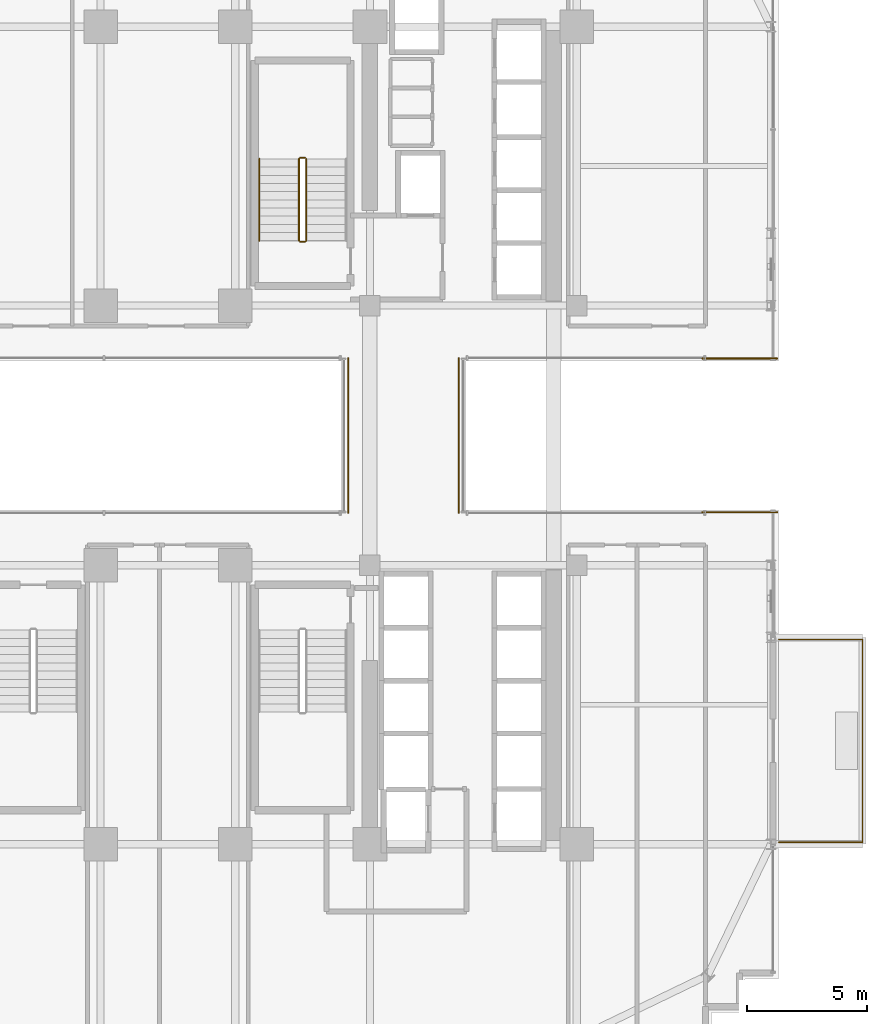
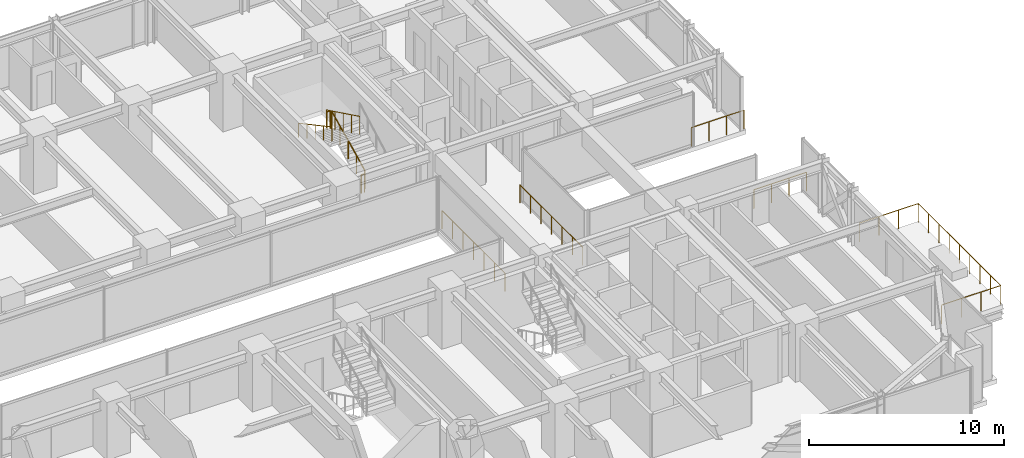
# One storey, part 39 of 41: 10 railings.
"""IFC4 building model written with IfcOpenShell, lengths in metres."""

from ifc_helpers import new_model, si_unit, direction, frame, origin, origin_2d, place, context, subcontext, project, spatial, circle, extrude, material, type_object, element, save


model = new_model("IFC4")

# Units and contexts
model_context = context("Model", 3, precision=1e-05, world=origin(), true_north=direction((0.0, 1.0)))
body_context = subcontext(model_context, "Body", "Model", "MODEL_VIEW")
ifc_project = project(units=[si_unit("LENGTHUNIT", "METRE"), si_unit("AREAUNIT", "SQUARE_METRE"), si_unit("VOLUMEUNIT", "CUBIC_METRE"), si_unit("PLANEANGLEUNIT", "RADIAN"), si_unit("MASSUNIT", "GRAM", prefix="KILO")], contexts=[model_context])

# Site, building, storey
site_placement = place(None, origin())
site = spatial("IfcSite", under=ifc_project, at=site_placement, CompositionType="ELEMENT")
building_placement = place(site_placement, origin())
building = spatial("IfcBuilding", under=site, at=building_placement, Name="Nahalor Promenade Grand Hotel", CompositionType="ELEMENT")
storey_placement = place(building_placement, frame((0.0, 0.0, 54.300048828125)))
storey = spatial("IfcBuildingStorey", under=building, at=storey_placement, Name="L12", CompositionType="ELEMENT", Elevation=54.300048828125)

# Railings
ifc_material_1 = material(Name="Anodised Bronze Aluminium EN AW-6063 T6", Category="aluminium")
railing_type_1 = type_object("IfcRailingType", Name="Bronze Balcony Guardrail 1200 mm", PredefinedType="GUARDRAIL", material=ifc_material_1)
for number, where, name in (
    (1, (22.219970703125, -3.199951171875, 0.0), "L12 Oculus Void Edge Guardrail ES"),
    (2, (22.219970703125, 3.199951171875, 0.0), "L12 Oculus Void Edge Guardrail EN"),
):
    element("IfcRailing", number, at=place(storey_placement, frame(where)), inside=storey, type_object=railing_type_1, Name=name, PredefinedType="GUARDRAIL", context=body_context, shape_type="SweptSolid", body=[
        extrude(circle(Radius=0.024048, at=origin_2d()), frame((0.0, 0.0, 1.17578125), z_axis=(1.0, 0.0, 0.0), x_axis=(0.0, 1.0, 0.0)), (0.0, 0.0, 1.0), 3.1201171875),
        extrude(circle(Radius=0.020996, at=origin_2d()), origin(), (0.0, 0.0, 1.0), 1.14990234375),
        extrude(circle(Radius=0.020996, at=origin_2d()), frame((1.0400390625, 0.0, 0.0)), (0.0, 0.0, 1.0), 1.14990234375),
        extrude(circle(Radius=0.020996, at=origin_2d()), frame((2.080078125, 0.0, 0.0)), (0.0, 0.0, 1.0), 1.14990234375),
        extrude(circle(Radius=0.020996, at=origin_2d()), frame((3.1201171875, 0.0, 0.0)), (0.0, 0.0, 1.0), 1.14990234375),
    ])
railing_1_placement = place(storey_placement, frame((25.39990234375, -16.919921875, 0.0)))
element("IfcRailing", 3, at=railing_1_placement, inside=storey, type_object=railing_type_1, Name="L12 Balcony Guardrail 2", PredefinedType="GUARDRAIL", context=body_context, shape_type="SweptSolid", body=[
    extrude(circle(Radius=0.024048, at=origin_2d()), frame((0.0, 0.0, 1.17578125), z_axis=(1.0, 0.0, 0.0), x_axis=(0.0, 1.0, 0.0)), (0.0, 0.0, 1.0), 3.488037109375),
    extrude(circle(Radius=0.024048, at=origin_2d()), frame((3.489990234375, 0.001953125, 1.17578125), z_axis=(0.0, 1.0, 0.0), x_axis=(-1.0, 0.0, 0.0)), (0.0, 0.0, 1.0), 8.43603515625),
    extrude(circle(Radius=0.024048, at=origin_2d()), frame((3.488037109375, 8.43994140625, 1.17578125), z_axis=(-1.0, 0.0, 0.0), x_axis=(0.0, -1.0, 0.0)), (0.0, 0.0, 1.0), 3.488037109375),
    extrude(circle(Radius=0.020996, at=origin_2d()), origin(), (0.0, 0.0, 1.0), 1.14990234375),
    extrude(circle(Radius=0.020996, at=origin_2d()), frame((1.163330078125, 0.0, 0.0)), (0.0, 0.0, 1.0), 1.14990234375),
    extrude(circle(Radius=0.020996, at=origin_2d()), frame((2.32666015625, 0.0, 0.0)), (0.0, 0.0, 1.0), 1.14990234375),
    extrude(circle(Radius=0.020996, at=origin_2d()), frame((3.489990234375, 0.0, 0.0)), (0.0, 0.0, 1.0), 1.14990234375),
    extrude(circle(Radius=0.020996, at=origin_2d()), frame((3.489990234375, 1.054931640625, 0.0)), (0.0, 0.0, 1.0), 1.14990234375),
    extrude(circle(Radius=0.020996, at=origin_2d()), frame((3.489990234375, 2.10986328125, 0.0)), (0.0, 0.0, 1.0), 1.14990234375),
    extrude(circle(Radius=0.020996, at=origin_2d()), frame((3.489990234375, 3.1650390625, 0.0)), (0.0, 0.0, 1.0), 1.14990234375),
    extrude(circle(Radius=0.020996, at=origin_2d()), frame((3.489990234375, 4.219970703125, 0.0)), (0.0, 0.0, 1.0), 1.14990234375),
    extrude(circle(Radius=0.020996, at=origin_2d()), frame((3.489990234375, 5.27490234375, 0.0)), (0.0, 0.0, 1.0), 1.14990234375),
    extrude(circle(Radius=0.020996, at=origin_2d()), frame((3.489990234375, 6.330078125, 0.0)), (0.0, 0.0, 1.0), 1.14990234375),
    extrude(circle(Radius=0.020996, at=origin_2d()), frame((3.489990234375, 7.385009765625, 0.0)), (0.0, 0.0, 1.0), 1.14990234375),
    extrude(circle(Radius=0.020996, at=origin_2d()), frame((3.489990234375, 8.43994140625, 0.0)), (0.0, 0.0, 1.0), 1.14990234375),
    extrude(circle(Radius=0.020996, at=origin_2d()), frame((2.32666015625, 8.43994140625, 0.0)), (0.0, 0.0, 1.0), 1.14990234375),
    extrude(circle(Radius=0.020996, at=origin_2d()), frame((1.163330078125, 8.43994140625, 0.0)), (0.0, 0.0, 1.0), 1.14990234375),
    extrude(circle(Radius=0.020996, at=origin_2d()), frame((0.0, 8.43994140625, 0.0)), (0.0, 0.0, 1.0), 1.14990234375),
])
railing_type_2 = type_object("IfcRailingType", Name="Bronze Sky Balustrade 1150 mm", PredefinedType="BALUSTRADE", material=ifc_material_1)
for number, where, name in (
    (4, (7.5, -3.219970703125, 0.0), "BL-L12-BRG-W"),
    (5, (12.10009765625, -3.219970703125, 0.0), "BL-L12-BRG-E"),
):
    element("IfcRailing", number, at=place(storey_placement, frame(where)), inside=storey, type_object=railing_type_2, Name=name, PredefinedType="BALUSTRADE", context=body_context, shape_type="SweptSolid", body=[
        extrude(circle(Radius=0.024048, at=origin_2d()), frame((0.0, 0.0, 1.1259765625), z_axis=(0.0, 1.0, 0.0), x_axis=(-1.0, 0.0, 0.0)), (0.0, 0.0, 1.0), 6.43994140625),
        extrude(circle(Radius=0.020996, at=origin_2d()), origin(), (0.0, 0.0, 1.0), 1.099853515625),
        extrude(circle(Radius=0.020996, at=origin_2d()), frame((0.0, 1.0732421875, 0.0)), (0.0, 0.0, 1.0), 1.099853515625),
        extrude(circle(Radius=0.020996, at=origin_2d()), frame((0.0, 2.146728515625, 0.0)), (0.0, 0.0, 1.0), 1.099853515625),
        extrude(circle(Radius=0.020996, at=origin_2d()), frame((0.0, 3.219970703125, 0.0)), (0.0, 0.0, 1.0), 1.099853515625),
        extrude(circle(Radius=0.020996, at=origin_2d()), frame((0.0, 4.293212890625, 0.0)), (0.0, 0.0, 1.0), 1.099853515625),
        extrude(circle(Radius=0.020996, at=origin_2d()), frame((0.0, 5.36669921875, 0.0)), (0.0, 0.0, 1.0), 1.099853515625),
        extrude(circle(Radius=0.020996, at=origin_2d()), frame((0.0, 6.43994140625, 0.0)), (0.0, 0.0, 1.0), 1.099853515625),
    ])
ifc_material_2 = material(Name="Steel S355JR", Category="steel")
railing_type_3 = type_object("IfcRailingType", Name="Steel Stair Guardrail 1150 mm", PredefinedType="GUARDRAIL", material=ifc_material_2)
railing_2_placement = place(storey_placement, frame((5.75, 8.10009765625, 0.165771484375)))
element("IfcRailing", 6, at=railing_2_placement, inside=storey, type_object=railing_type_3, Name="L12 ST1 stair guard 1", PredefinedType="GUARDRAIL", context=body_context, shape_type="SweptSolid", body=[
    extrude(circle(Radius=0.024048, at=origin_2d()), frame((0.0, 0.0, 1.1259765625), z_axis=(0.0, 0.898696488221, 0.438571114028), x_axis=(-1.0, 0.0, 0.0)), (0.0, 0.0, 1.0), 3.783203125),
    extrude(circle(Radius=0.020996, at=origin_2d()), origin(), (0.0, 0.0, 1.0), 1.099853515625),
    extrude(circle(Radius=0.020996, at=origin_2d()), frame((0.0, 0.85009765625, 0.414794921875)), (0.0, 0.0, 1.0), 1.099853515625),
    extrude(circle(Radius=0.020996, at=origin_2d()), frame((0.0, 1.699951171875, 0.82958984375)), (0.0, 0.0, 1.0), 1.099853515625),
    extrude(circle(Radius=0.020996, at=origin_2d()), frame((0.0, 2.5498046875, 1.244384765625)), (0.0, 0.0, 1.0), 1.099853515625),
    extrude(circle(Radius=0.020996, at=origin_2d()), frame((0.0, 3.39990234375, 1.6591796875)), (0.0, 0.0, 1.0), 1.099853515625),
])
railing_3_placement = place(storey_placement, frame((5.699951171875, 11.550048828125, 1.824951171875)))
element("IfcRailing", 7, at=railing_3_placement, inside=storey, type_object=railing_type_3, Name="L12 ST1 stair guard 2", PredefinedType="GUARDRAIL", context=body_context, shape_type="SweptSolid", body=[
    extrude(circle(Radius=0.024048, at=origin_2d()), frame((0.0, 0.0, 1.1259765625), z_axis=(-1.0, 0.0, 0.0), x_axis=(0.0, -1.0, 0.0)), (0.0, 0.0, 1.0), 0.199951171875),
    extrude(circle(Radius=0.020996, at=origin_2d()), origin(), (0.0, 0.0, 1.0), 1.099853515625),
    extrude(circle(Radius=0.020996, at=origin_2d()), frame((-0.199951171875, 0.0, 0.0)), (0.0, 0.0, 1.0), 1.099853515625),
])
railing_4_placement = place(storey_placement, frame((5.449951171875, 11.5, 1.990966796875)))
element("IfcRailing", 8, at=railing_4_placement, inside=storey, type_object=railing_type_3, Name="L12 ST1 stair guard 3", PredefinedType="GUARDRAIL", context=body_context, shape_type="SweptSolid", body=[
    extrude(circle(Radius=0.024048, at=origin_2d()), frame((0.0, 0.0, 1.1259765625), z_axis=(0.0, -0.898721922897, 0.438518990814), x_axis=(1.0, 0.0, 0.0)), (0.0, 0.0, 1.0), 3.782958984375),
    extrude(circle(Radius=0.020996, at=origin_2d()), origin(), (0.0, 0.0, 1.0), 1.099853515625),
    extrude(circle(Radius=0.020996, at=origin_2d()), frame((0.0, -0.85009765625, 0.414794921875)), (0.0, 0.0, 1.0), 1.099853515625),
    extrude(circle(Radius=0.020996, at=origin_2d()), frame((0.0, -1.699951171875, 0.82958984375)), (0.0, 0.0, 1.0), 1.099853515625),
    extrude(circle(Radius=0.020996, at=origin_2d()), frame((0.0, -2.5498046875, 1.244140625)), (0.0, 0.0, 1.0), 1.099853515625),
    extrude(circle(Radius=0.020996, at=origin_2d()), frame((0.0, -3.39990234375, 1.658935546875)), (0.0, 0.0, 1.0), 1.099853515625),
])
railing_5_placement = place(storey_placement, frame((5.699951171875, 8.050048828125, 0.0)))
element("IfcRailing", 9, at=railing_5_placement, inside=storey, type_object=railing_type_3, Name="L12 ST1 stair guard 4", PredefinedType="GUARDRAIL", context=body_context, shape_type="SweptSolid", body=[
    extrude(circle(Radius=0.024048, at=origin_2d()), frame((0.0, 0.0, 1.1259765625), z_axis=(-1.0, 0.0, 0.0), x_axis=(0.0, -1.0, 0.0)), (0.0, 0.0, 1.0), 0.199951171875),
    extrude(circle(Radius=0.020996, at=origin_2d()), origin(), (0.0, 0.0, 1.0), 1.099853515625),
    extrude(circle(Radius=0.020996, at=origin_2d()), frame((-0.199951171875, 0.0, 0.0)), (0.0, 0.0, 1.0), 1.099853515625),
])
railing_type_4 = type_object("IfcRailingType", Name="Steel Stair Handrail 900 mm", PredefinedType="HANDRAIL", material=ifc_material_2)
railing_6_placement = place(storey_placement, frame((3.800048828125, 11.5, 1.990966796875)))
element("IfcRailing", 10, at=railing_6_placement, inside=storey, type_object=railing_type_4, Name="L12 ST1 stair handrail 2", PredefinedType="HANDRAIL", context=body_context, shape_type="SweptSolid", body=[
    extrude(circle(Radius=0.024048, at=origin_2d()), frame((0.0, 0.0, 0.8759765625), z_axis=(0.0, -0.881094038095, 0.47294111265), x_axis=(1.0, 0.0, 0.0)), (0.0, 0.0, 1.0), 3.858642578125),
    extrude(circle(Radius=0.020996, at=origin_2d()), origin(), (0.0, 0.0, 1.0), 0.849853515625),
    extrude(circle(Radius=0.020996, at=origin_2d()), frame((0.0, -0.85009765625, 0.456298828125)), (0.0, 0.0, 1.0), 0.849853515625),
    extrude(circle(Radius=0.020996, at=origin_2d()), frame((0.0, -1.699951171875, 0.91259765625)), (0.0, 0.0, 1.0), 0.849853515625),
    extrude(circle(Radius=0.020996, at=origin_2d()), frame((0.0, -2.5498046875, 1.36865234375)), (0.0, 0.0, 1.0), 0.849853515625),
    extrude(circle(Radius=0.020996, at=origin_2d()), frame((0.0, -3.39990234375, 1.824951171875)), (0.0, 0.0, 1.0), 0.849853515625),
])

save(model, "model.ifc")
